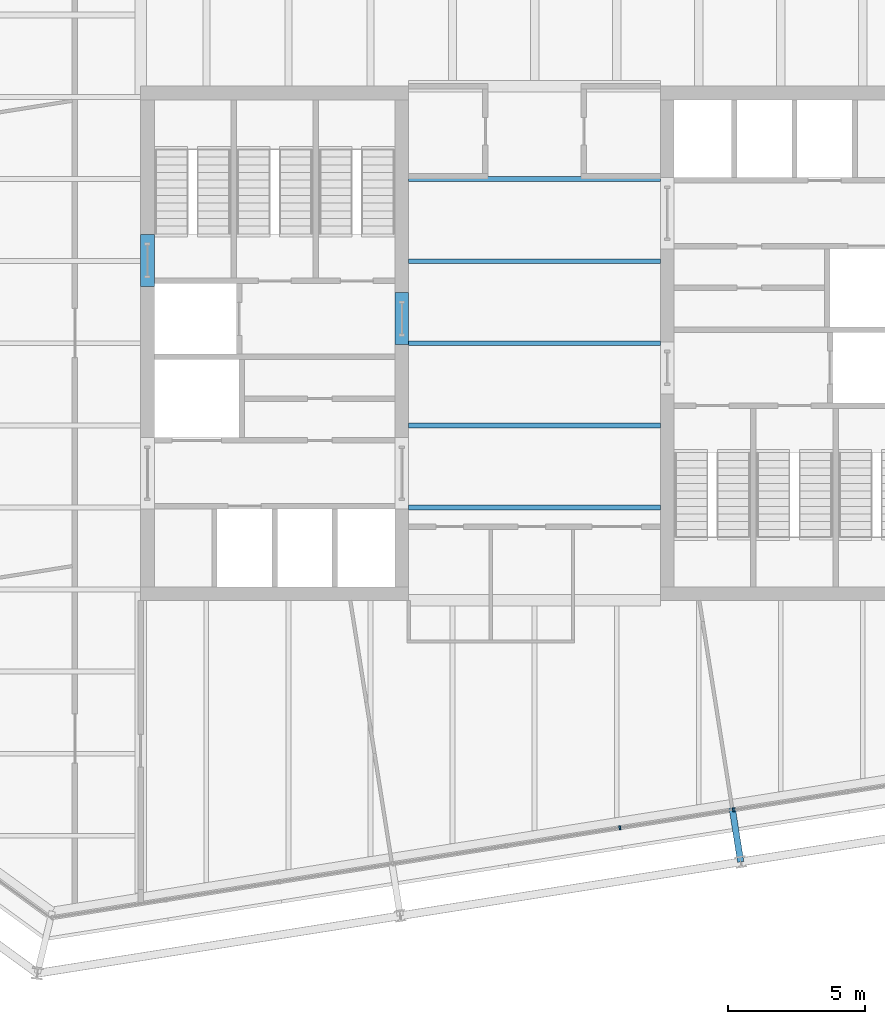
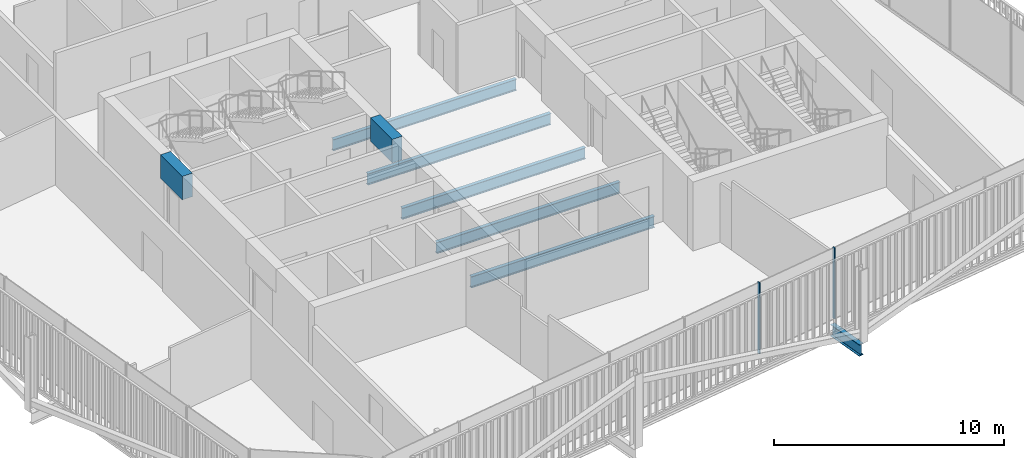
# One storey, part 8 of 21: 8 beams, 2 members, 1 element without a shape of its own.
"""IFC4 building model written with IfcOpenShell, lengths in metres."""

from ifc_helpers import new_model, si_unit, direction, frame, origin, origin_2d, place, context, subcontext, project, spatial, rectangle, i_section, extrude, material, layer, layer_set, material_profile, profile_set, type_object, element, aggregate, save


model = new_model("IFC4")

# Units and contexts
model_context = context("Model", 3, precision=1e-05, world=origin(), true_north=direction((0.0, 1.0)))
body_context = subcontext(model_context, "Body", "Model", "MODEL_VIEW")
ifc_project = project(units=[si_unit("LENGTHUNIT", "METRE"), si_unit("AREAUNIT", "SQUARE_METRE"), si_unit("VOLUMEUNIT", "CUBIC_METRE"), si_unit("PLANEANGLEUNIT", "RADIAN"), si_unit("MASSUNIT", "GRAM", prefix="KILO")], contexts=[model_context])

# Site, building, storey
site_placement = place(None, origin())
site = spatial("IfcSite", under=ifc_project, at=site_placement, CompositionType="ELEMENT")
building_placement = place(site_placement, origin())
building = spatial("IfcBuilding", under=site, at=building_placement, Name="Millrace Tower", CompositionType="ELEMENT")
storey_placement = place(building_placement, frame((0.0, 0.0, 263.0)))
storey = spatial("IfcBuildingStorey", under=building, at=storey_placement, Name="L60", CompositionType="ELEMENT", Elevation=263.0)

# Curtain wall, members
ifc_material_1 = material(Name="Aluminium and glass", Category="aluminium")
ifc_layer = layer(ifc_material_1, 0.14990234375)
ifc_layer_set = layer_set([ifc_layer], Name="Aluminium and glass")
curtain_wall_type = type_object("IfcCurtainWallType", Name="CW-1 office vision curtain wall", PredefinedType="NOTDEFINED", material=ifc_layer_set)
curtain_wall_placement = place(storey_placement, origin())
curtain_wall = element("IfcCurtainWall", 1, at=curtain_wall_placement, inside=storey, type_object=curtain_wall_type, Name="Curtain wall D-F02 L60", PredefinedType="NOTDEFINED")
ifc_material_2 = material(Name="Aluminium", Category="aluminium")
ifc_material_profile_1 = material_profile(ifc_material_2, rectangle(XDim=0.06494140625, YDim=0.14990234375, at=origin_2d()))
ifc_profile_set_1 = profile_set([ifc_material_profile_1], Name="Aluminium")
member_type = type_object("IfcMemberType", Name="CW-1 office vision curtain wall mullion", PredefinedType="MULLION", material=ifc_profile_set_1)
member_1_placement = place(storey_placement, frame((3.115966796875, -17.707275390625, 0.139892578125), z_axis=(0.0, 0.0, 1.0), x_axis=(0.987688339511, 0.156434471884, 0.0)))
member_1 = element("IfcMember", 2, at=member_1_placement, type_object=member_type, Name="CW1 mullion D-F02.6", PredefinedType="MULLION", context=body_context, shape_type="SweptSolid", body=[
    extrude(rectangle(XDim=0.06494140625, YDim=0.14990234375, at=origin_2d()), origin(), (0.0, 0.0, 1.0), 3.760009765625),
])
member_2_placement = place(storey_placement, frame((7.26416015625, -17.05029296875, 0.139892578125), z_axis=(0.0, 0.0, 1.0), x_axis=(0.987688339511, 0.156434471884, 0.0)))
member_2 = element("IfcMember", 3, at=member_2_placement, type_object=member_type, Name="CW1 mullion D-F02.7", PredefinedType="MULLION", context=body_context, shape_type="SweptSolid", body=[
    extrude(rectangle(XDim=0.06494140625, YDim=0.14990234375, at=origin_2d()), origin(), (0.0, 0.0, 1.0), 3.760009765625),
])
aggregate(curtain_wall, [member_1, member_2])

# Beams
ifc_material_3 = material(Name="Concrete C60", Category="concrete")
ifc_material_profile_2 = material_profile(ifc_material_3, rectangle(XDim=0.5, YDim=1.25, at=origin_2d()))
ifc_profile_set_2 = profile_set([ifc_material_profile_2], Name="Concrete C60")
beam_type_1 = type_object("IfcBeamType", Name="Coupling beam 500 x 1250 Concrete C60, 1300 opening", PredefinedType="BEAM", material=ifc_profile_set_2)
beam_1_placement = place(storey_placement, frame((-14.14990234375, 2.080078125, 3.02490234375), z_axis=(0.0, 1.0, 0.0), x_axis=(-1.0, 0.0, 0.0)))
element("IfcBeam", 4, at=beam_1_placement, inside=storey, type_object=beam_type_1, Name="Coupling beam W L60", PredefinedType="BEAM", context=body_context, shape_type="SweptSolid", body=[
    extrude(rectangle(XDim=0.5, YDim=1.25, at=origin_2d()), origin(), (0.0, 0.0, 1.0), 1.89990234375),
])
beam_2_placement = place(storey_placement, frame((-4.85009765625, -0.050048828125, 3.02490234375), z_axis=(0.0, 1.0, 0.0), x_axis=(-1.0, 0.0, 0.0)))
element("IfcBeam", 5, at=beam_2_placement, inside=storey, type_object=beam_type_1, Name="Coupling beam W L60", PredefinedType="BEAM", context=body_context, shape_type="SweptSolid", body=[
    extrude(rectangle(XDim=0.5, YDim=1.25, at=origin_2d()), origin(), (0.0, 0.0, 1.0), 1.900146484375),
])
ifc_material_4 = material(Name="Steel ASTM A992 Grade 50", Category="steel")
ifc_material_profile_3 = material_profile(ifc_material_4, i_section(OverallWidth=0.177978515625, OverallDepth=0.599365234375, WebThickness=0.010009765625, FlangeThickness=0.012939453125, FilletRadius=0.012939453125, at=origin_2d()))
ifc_profile_set_3 = profile_set([ifc_material_profile_3], Name="Steel ASTM A992 Grade 50")
beam_type_2 = type_object("IfcBeamType", Name="Floor beam W24x55", PredefinedType="JOIST", material=ifc_profile_set_3)
for number, where, z_axis, x_axis, name in (
    (6, (-4.60009765625, -6.0, -0.459716796875), (1.0, 0.0, 0.0), (0.0, 1.0, 0.0), "BM-D-L60-S1-S008"),
    (7, (-4.60009765625, -3.0, -0.459716796875), (1.0, 0.0, 0.0), (0.0, 1.0, 0.0), "BM-D-L60-S1-S011"),
    (8, (-4.60009765625, 0.0, -0.459716796875), (1.0, 0.0, 0.0), (0.0, 1.0, 0.0), "BM-D-L60-S1-S014"),
    (9, (-4.60009765625, 3.0, -0.459716796875), (1.0, 0.0, 0.0), (0.0, 1.0, 0.0), "BM-D-L60-S1-S017"),
    (10, (-4.60009765625, 6.0, -0.459716796875), (1.0, 0.0, 0.0), (0.0, 1.0, 0.0), "BM-D-L60-S1-S020"),
):
    element("IfcBeam", number, at=place(storey_placement, frame(where, z_axis=z_axis, x_axis=x_axis)), inside=storey, type_object=beam_type_2, Name=name, PredefinedType="JOIST", context=body_context, shape_type="SweptSolid", body=[
        extrude(i_section(OverallWidth=0.177978515625, OverallDepth=0.599365234375, WebThickness=0.010009765625, FlangeThickness=0.012939453125, FilletRadius=0.012939453125, at=origin_2d()), origin(), (0.0, 0.0, 1.0), 9.2001953125),
    ])
ifc_material_5 = material(Name="Steel ASTM A992 Grade 50", Category="steel")
ifc_material_profile_4 = material_profile(ifc_material_5, i_section(OverallWidth=0.23046875, OverallDepth=0.6171875, WebThickness=0.01318359375, FlangeThickness=0.022216796875, FilletRadius=0.012939453125, at=origin_2d()))
ifc_profile_set_4 = profile_set([ifc_material_profile_4], Name="Steel ASTM A992 Grade 50")
beam_type_3 = type_object("IfcBeamType", Name="Link beam W24x94", PredefinedType="BEAM", material=ifc_profile_set_4)
beam_3_placement = place(storey_placement, frame((7.220458984375, -16.981201171875, -0.468505859375), z_axis=(0.156357438014, -0.987700537399, 0.0), x_axis=(0.987700537399, 0.156357438014, 0.0)))
element("IfcBeam", 11, at=beam_3_placement, inside=storey, type_object=beam_type_3, Name="LNK-D-L60-S1-14", PredefinedType="BEAM", context=body_context, shape_type="SweptSolid", body=[
    extrude(i_section(OverallWidth=0.23046875, OverallDepth=0.6171875, WebThickness=0.01318359375, FlangeThickness=0.022216796875, FilletRadius=0.012939453125, at=origin_2d()), origin(), (0.0, 0.0, 1.0), 2.000244140625),
])

save(model, "model.ifc")
